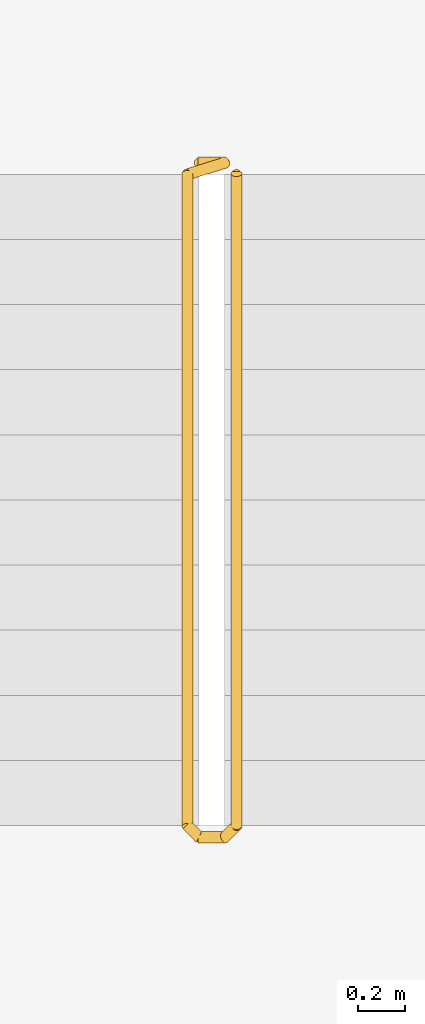
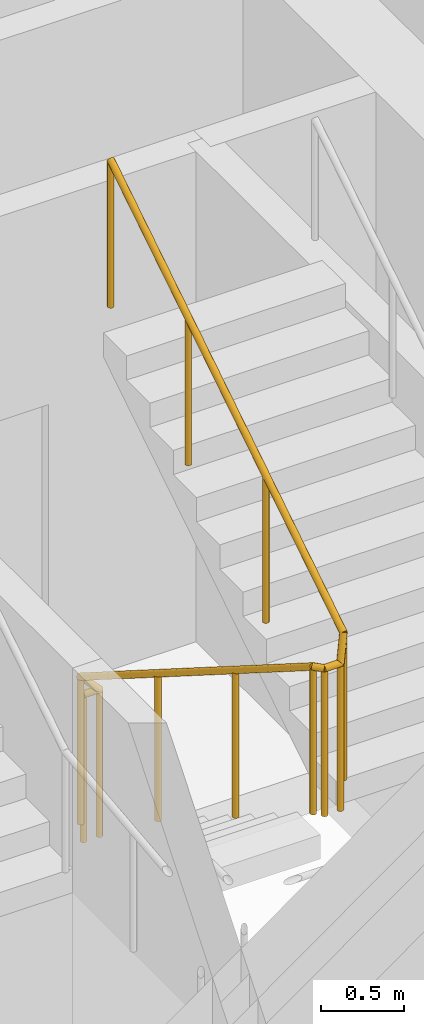
# One storey, part 13 of 13: 1 railing.
"""IFC4 building model written with IfcOpenShell, lengths in metres."""

from ifc_helpers import new_model, si_unit, direction, frame, origin, origin_2d, place, context, subcontext, project, spatial, circle, extrude, material, type_object, element, save


model = new_model("IFC4")

# Units and contexts
model_context = context("Model", 3, precision=1e-05, world=origin(), true_north=direction((0.0, 1.0)))
body_context = subcontext(model_context, "Body", "Model", "MODEL_VIEW")
ifc_project = project(units=[si_unit("LENGTHUNIT", "METRE"), si_unit("AREAUNIT", "SQUARE_METRE"), si_unit("VOLUMEUNIT", "CUBIC_METRE"), si_unit("PLANEANGLEUNIT", "RADIAN"), si_unit("MASSUNIT", "GRAM", prefix="KILO")], contexts=[model_context])

# Site, building, storey
site_placement = place(None, origin())
site = spatial("IfcSite", under=ifc_project, at=site_placement, CompositionType="ELEMENT")
building_placement = place(site_placement, origin())
building = spatial("IfcBuilding", under=site, at=building_placement, Name="Tessera Arch", CompositionType="ELEMENT")
storey_placement = place(building_placement, frame((0.0, 0.0, 158.300048828125)))
storey = spatial("IfcBuildingStorey", under=building, at=storey_placement, Name="L37", CompositionType="ELEMENT", Elevation=158.300048828125)

# Railing
ifc_material = material(Name="Painted steel balustrade", Category="steel")
railing_type = type_object("IfcRailingType", Name="Stair guard 1100", PredefinedType="GUARDRAIL", material=ifc_material)
railing_placement = place(storey_placement, frame((44.919921875, 43.6298828125, 0.0)))
element("IfcRailing", 1, at=railing_placement, inside=storey, type_object=railing_type, Name="L37 S1c stair guard 1", PredefinedType="GUARDRAIL", context=body_context, shape_type="SweptSolid", body=[
    extrude(circle(Radius=0.02392578125, at=origin_2d()), frame((-0.00390625, 0.0, 1.076171875), z_axis=(1.0, 0.0, 0.0), x_axis=(0.0, 1.0, 0.0)), (0.0, 0.0, 1.0), 0.1181640625),
    extrude(circle(Radius=0.02392578125, at=origin_2d()), frame((0.11279296875, 0.000732421875, 1.0732421875), z_axis=(-0.65574896516, -0.204233265485, 0.726830150696), x_axis=(0.297361876254, -0.954764847777, 0.0)), (0.0, 0.0, 1.0), 0.251953125),
    extrude(circle(Radius=0.02392578125, at=origin_2d()), frame((-0.0498046875, -0.04638671875, 1.251220703125), z_axis=(0.0, -0.844908973607, 0.534910110503), x_axis=(1.0, 0.0, 0.0)), (0.0, 0.0, 1.0), 3.322021484375),
    extrude(circle(Radius=0.02392578125, at=origin_2d()), frame((-0.052734375, -2.846923828125, 3.02587890625), z_axis=(0.705375805398, -0.708833529934, 0.0), x_axis=(0.708833529934, 0.705375805398, 0.0)), (0.0, 0.0, 1.0), 0.07861328125),
    extrude(circle(Radius=0.02392578125, at=origin_2d()), frame((-0.00390625, -2.89990234375, 3.02587890625), z_axis=(1.0, 0.0, 0.0), x_axis=(0.0, 1.0, 0.0)), (0.0, 0.0, 1.0), 0.1181640625),
    extrude(circle(Radius=0.02392578125, at=origin_2d()), frame((0.109130859375, -2.90087890625, 3.022216796875), z_axis=(0.262233686654, 0.262233686654, 0.928691007369), x_axis=(-0.707106781187, 0.707106781187, 0.0)), (0.0, 0.0, 1.0), 0.198974609375),
    extrude(circle(Radius=0.02392578125, at=origin_2d()), frame((0.16015625, -2.853271484375, 3.201171875), z_axis=(0.0, 0.844908973607, 0.534910110503), x_axis=(-1.0, 0.0, 0.0)), (0.0, 0.0, 1.0), 3.322021484375),
    extrude(circle(Radius=0.02099609375, at=origin_2d()), origin(), (0.0, 0.0, 1.0), 1.06396484375),
    extrude(circle(Radius=0.02099609375, at=origin_2d()), frame((0.110107421875, 0.0, 0.0)), (0.0, 0.0, 1.0), 1.06396484375),
    extrude(circle(Radius=0.02099609375, at=origin_2d()), frame((-0.0498046875, -0.0498046875, 0.17724609375)), (0.0, 0.0, 1.0), 1.06396484375),
    extrude(circle(Radius=0.02099609375, at=origin_2d()), frame((-0.0498046875, -0.983154296875, 0.76806640625)), (0.0, 0.0, 1.0), 1.06396484375),
    extrude(circle(Radius=0.02099609375, at=origin_2d()), frame((-0.0498046875, -1.91650390625, 1.359130859375)), (0.0, 0.0, 1.0), 1.06396484375),
    extrude(circle(Radius=0.02099609375, at=origin_2d()), frame((-0.0498046875, -2.849853515625, 1.949951171875)), (0.0, 0.0, 1.0), 1.06396484375),
    extrude(circle(Radius=0.02099609375, at=origin_2d()), frame((0.0, -2.89990234375, 1.949951171875)), (0.0, 0.0, 1.0), 1.06396484375),
    extrude(circle(Radius=0.02099609375, at=origin_2d()), frame((0.110107421875, -2.89990234375, 1.949951171875)), (0.0, 0.0, 1.0), 1.06396484375),
    extrude(circle(Radius=0.02099609375, at=origin_2d()), frame((0.16015625, -2.849853515625, 2.127197265625)), (0.0, 0.0, 1.0), 1.06396484375),
    extrude(circle(Radius=0.02099609375, at=origin_2d()), frame((0.16015625, -1.91650390625, 2.718017578125)), (0.0, 0.0, 1.0), 1.06396484375),
    extrude(circle(Radius=0.02099609375, at=origin_2d()), frame((0.16015625, -0.983154296875, 3.30908203125)), (0.0, 0.0, 1.0), 1.06396484375),
    extrude(circle(Radius=0.02099609375, at=origin_2d()), frame((0.16015625, -0.0498046875, 3.89990234375)), (0.0, 0.0, 1.0), 1.06396484375),
])

save(model, "model.ifc")
